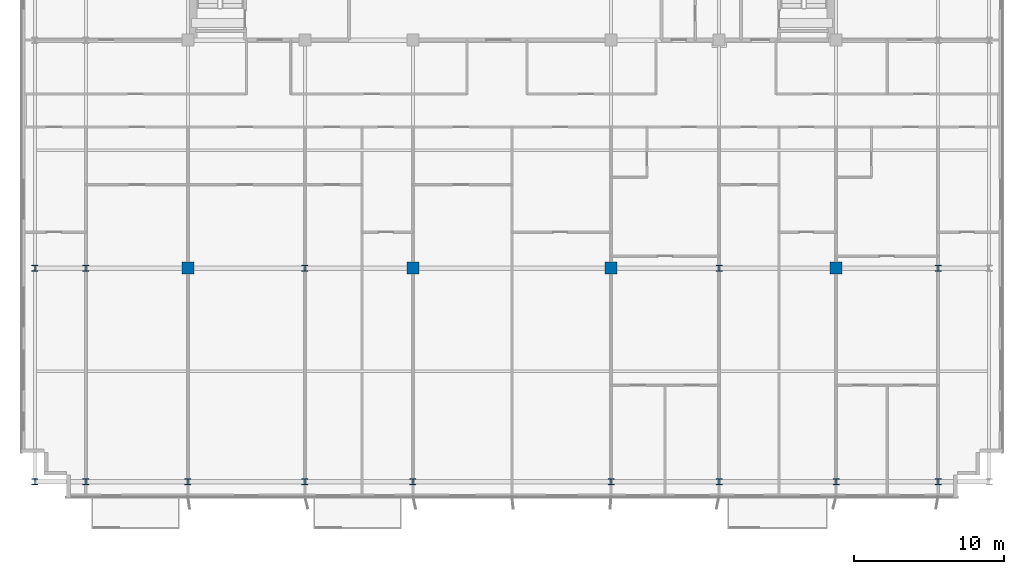
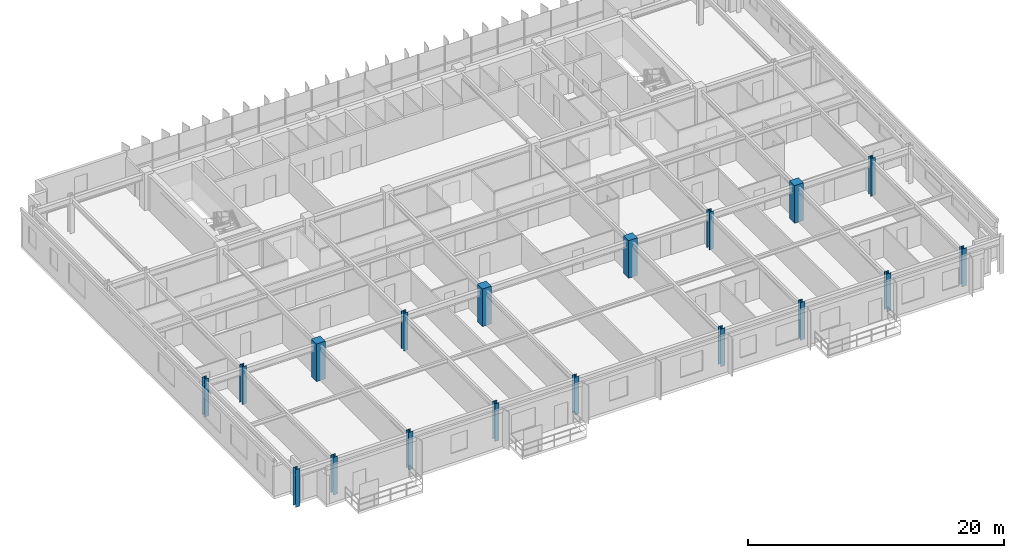
# One storey, part 1 of 21: 18 columns.
"""IFC4 building model written with IfcOpenShell, lengths in metres."""

import ifcopenshell
import ifcopenshell.guid

model = None  # the IFC model being written
_history = None  # IfcOwnerHistory: only IFC2X3 demands one
_inside = {}  # id of a spatial element -> (the spatial element, [elements in it])
_under = {}  # id of a project, library or spatial element -> (it, [spatial elements below it])
_declared = {}  # id of a project -> (the project, [libraries it declares])
_typed = {}  # id of a type object -> (the type object, [elements of that type])
_made_of = {}  # id of a material, layer set ... -> (it, [elements and type objects made of it])


def new_model(schema):
    """Start an empty IFC model of exactly this schema.

    Asked for "IFC4X3", IfcOpenShell would pick the latest addendum, in which some entities
    have other attributes; the version numbers below select the first issue.
    IFC2X3 requires an IfcOwnerHistory on every rooted entity: one is made here for all.
    """
    global model, _history
    if schema == "IFC4X3":
        model = ifcopenshell.file(schema_version=(4, 3, 0, 0))
    else:
        model = ifcopenshell.file(schema=schema)
    _inside.clear()
    _under.clear()
    _declared.clear()
    _typed.clear()
    _made_of.clear()
    _history = None
    if model.schema == "IFC2X3":
        org = make("IfcOrganization", Name="unknown")
        user = make(
            "IfcPersonAndOrganization",
            ThePerson=make("IfcPerson", FamilyName="unknown"),
            TheOrganization=org,
        )
        app = make(
            "IfcApplication",
            ApplicationDeveloper=org,
            Version="unknown",
            ApplicationFullName="unknown",
            ApplicationIdentifier="unknown",
        )
        _history = make(
            "IfcOwnerHistory",
            OwningUser=user,
            OwningApplication=app,
            ChangeAction="ADDED",
            CreationDate=0,
        )
    return model


def make(cls, **values):
    """One entity of the class cls with the attributes given. An attribute that is None is left unset."""
    return model.create_entity(
        cls, **{name: value for name, value in values.items() if value is not None}
    )


def rooted(cls, **values):
    """An entity with a GlobalId (a new one), such as an element, a storey or a relation."""
    return make(cls, GlobalId=ifcopenshell.guid.new(), OwnerHistory=_history, **values)


def si_unit(unit_type, name, prefix=None):
    """IfcSIUnit, for example si_unit("LENGTHUNIT", "METRE", prefix="MILLI")."""
    return make("IfcSIUnit", UnitType=unit_type, Prefix=prefix, Name=name)


def assignment(units):
    """IfcUnitAssignment: the units of a project."""
    return None if units is None else make("IfcUnitAssignment", Units=units)


def point(xyz):
    """IfcCartesianPoint."""
    return None if xyz is None else make("IfcCartesianPoint", Coordinates=xyz)


def direction(xyz):
    """IfcDirection."""
    return None if xyz is None else make("IfcDirection", DirectionRatios=xyz)


def frame(location, z_axis=None, x_axis=None):
    """IfcAxis2Placement3D, a coordinate frame: its origin and axes. An axis left out is left unset."""
    return make(
        "IfcAxis2Placement3D",
        Location=point(location),
        Axis=direction(z_axis),
        RefDirection=direction(x_axis),
    )


def frame_2d(location, x_axis=None):
    """IfcAxis2Placement2D, a coordinate frame in the plane: its origin and x axis."""
    return make(
        "IfcAxis2Placement2D", Location=point(location), RefDirection=direction(x_axis)
    )


def origin():
    """The frame at (0, 0, 0) with its axes left unset."""
    return frame((0.0, 0.0, 0.0))


def origin_2d():
    """The frame at (0, 0) in the plane with its x axis left unset."""
    return frame_2d((0.0, 0.0))


def place(relative_to, where):
    """IfcLocalPlacement: puts the frame where relative to a parent placement (None: the world)."""
    return make(
        "IfcLocalPlacement", PlacementRelTo=relative_to, RelativePlacement=where
    )


def context(
    kind, dimensions, precision=None, world=None, true_north=None, identifier=None
):
    """IfcGeometricRepresentationContext, for example the 3D "Model" context."""
    return make(
        "IfcGeometricRepresentationContext",
        ContextIdentifier=identifier,
        ContextType=kind,
        CoordinateSpaceDimension=dimensions,
        Precision=precision,
        WorldCoordinateSystem=world,
        TrueNorth=true_north,
    )


def subcontext(parent, identifier, kind, view, scale=None):
    """IfcGeometricRepresentationSubContext, for example "Body" below "Model"."""
    return make(
        "IfcGeometricRepresentationSubContext",
        ContextIdentifier=identifier,
        ContextType=kind,
        ParentContext=parent,
        TargetScale=scale,
        TargetView=view,
    )


def project(units=None, contexts=None):
    """IfcProject with its units and contexts."""
    return rooted(
        "IfcProject",
        Name="project",
        RepresentationContexts=contexts,
        UnitsInContext=assignment(units),
    )


def spatial(cls, under=None, at=None, **own):
    """A site, building, storey or space (cls), placed at a placement, below another one or the project."""
    s = rooted(cls, ObjectPlacement=at, **own)
    if under is not None:
        _under.setdefault(under.id(), (under, []))[1].append(s)
    return s


def profile(cls, at=None, kind="AREA", **sizes):
    """A parametric profile (cls). Its sizes go by their IFC names, for example OverallWidth=200.0."""
    return make(cls, ProfileType=kind, Position=at, **sizes)


def rectangle(**sizes):
    """IfcRectangleProfileDef."""
    return profile("IfcRectangleProfileDef", **sizes)


def i_section(**sizes):
    """IfcIShapeProfileDef."""
    return profile("IfcIShapeProfileDef", **sizes)


def extrude(swept, where, along, depth):
    """IfcExtrudedAreaSolid: the profile swept, set in the frame where, extruded along a direction by depth."""
    return make(
        "IfcExtrudedAreaSolid",
        SweptArea=swept,
        Position=where,
        ExtrudedDirection=direction(along),
        Depth=depth,
    )


def shape(context_of_items, identifier, shape_type, items):
    """IfcShapeRepresentation: the items that make up one representation, for example the "Body"."""
    return make(
        "IfcShapeRepresentation",
        ContextOfItems=context_of_items,
        RepresentationIdentifier=identifier,
        RepresentationType=shape_type,
        Items=items,
    )


def source(mapping_origin, context_of_items, identifier, shape_type, items):
    """IfcRepresentationMap: a shape defined once, which mapped items show again and again."""
    return make(
        "IfcRepresentationMap",
        MappingOrigin=mapping_origin,
        MappedRepresentation=shape(context_of_items, identifier, shape_type, items),
    )


def transform(
    local_origin,
    x_axis=None,
    y_axis=None,
    z_axis=None,
    scale=None,
    scale2=None,
    scale3=None,
    uniform=True,
):
    """IfcCartesianTransformationOperator3D, or its non-uniform kind. x_axis, y_axis, z_axis: its Axis1, 2, 3."""
    if uniform:
        return make(
            "IfcCartesianTransformationOperator3D",
            Axis1=direction(x_axis),
            Axis2=direction(y_axis),
            LocalOrigin=point(local_origin),
            Scale=scale,
            Axis3=direction(z_axis),
        )
    return make(
        "IfcCartesianTransformationOperator3DnonUniform",
        Axis1=direction(x_axis),
        Axis2=direction(y_axis),
        LocalOrigin=point(local_origin),
        Scale=scale,
        Axis3=direction(z_axis),
        Scale2=scale2,
        Scale3=scale3,
    )


def mapped(mapping_source, mapping_target):
    """IfcMappedItem: shows the shape of a source again, moved by a transform."""
    return make(
        "IfcMappedItem", MappingSource=mapping_source, MappingTarget=mapping_target
    )


def material(Name=None, Category=None):
    """IfcMaterial."""
    return make("IfcMaterial", Name=Name, Category=Category)


def material_profile(
    of_material, cross_section, Name=None, Category=None, Priority=None
):
    """IfcMaterialProfile: a cross section and its material."""
    return make(
        "IfcMaterialProfile",
        Name=Name,
        Material=of_material,
        Profile=cross_section,
        Priority=Priority,
        Category=Category,
    )


def profile_set(profiles, Name=None, composite=None):
    """IfcMaterialProfileSet."""
    return make(
        "IfcMaterialProfileSet",
        Name=Name,
        MaterialProfiles=profiles,
        CompositeProfile=composite,
    )


def made_of(thing, what):
    """Note that an element or type object is made of a material, layer set ...; save() writes the relation."""
    if what is not None:
        _made_of.setdefault(what.id(), (what, []))[1].append(thing)
    return thing


def type_object(cls, material=None, **own):
    """A type object (cls), such as IfcWallType, which elements share."""
    return made_of(rooted(cls, **own), material)


def element(
    cls,
    number,
    at=None,
    inside=None,
    cuts=None,
    type_object=None,
    material=None,
    context=None,
    identifier="Body",
    shape_type=None,
    held_by="IfcProductDefinitionShape",
    body=None,
    shapes=None,
    **own,
):
    """One element of the class cls, such as IfcWall. Its Tag is "e" and its number.

    at: its placement. inside: the storey or other place that contains it. cuts: it is an
    opening in that element (IfcRelVoidsElement). A single representation is given by context,
    identifier, shape_type and body (its items); several are given by shapes. held_by: the class
    of the entity that holds the representations. save() writes the other relations.
    """
    e = rooted(cls, Tag="e%d" % number, ObjectPlacement=at, **own)
    if body is not None:
        shapes = [shape(context, identifier, shape_type, body)]
    if shapes is not None:
        e.Representation = make(held_by, Representations=shapes)
    if inside is not None:
        _inside.setdefault(inside.id(), (inside, []))[1].append(e)
    if cuts is not None:
        rooted(
            "IfcRelVoidsElement", RelatingBuildingElement=cuts, RelatedOpeningElement=e
        )
    if type_object is not None:
        _typed.setdefault(type_object.id(), (type_object, []))[1].append(e)
    return made_of(e, material)


def aggregate(whole, parts):
    """IfcRelAggregates: a whole, such as a stair, and the parts it consists of."""
    return rooted("IfcRelAggregates", RelatingObject=whole, RelatedObjects=parts)


def save(model, path):
    """Write the relations noted so far, then the file.

    IfcRelAggregates (storeys below a building ...), IfcRelContainedInSpatialStructure (elements
    in a storey), IfcRelDefinesByType, IfcRelAssociatesMaterial and IfcRelDeclares: one each for
    every whole, place, type object, material and project.
    """
    for whole, parts in _under.values():
        aggregate(whole, parts)
    for where, things in _inside.values():
        rooted(
            "IfcRelContainedInSpatialStructure",
            RelatedElements=things,
            RelatingStructure=where,
        )
    for kind, things in _typed.values():
        rooted("IfcRelDefinesByType", RelatedObjects=things, RelatingType=kind)
    for what, things in _made_of.values():
        rooted("IfcRelAssociatesMaterial", RelatedObjects=things, RelatingMaterial=what)
    for by, libraries in _declared.values():
        rooted("IfcRelDeclares", RelatingContext=by, RelatedDefinitions=libraries)
    model.write(path)


model = new_model("IFC4")

# Units and contexts
model_context = context("Model", 3, precision=1e-05, world=origin(), true_north=direction((0.0, 1.0)))
body_context = subcontext(model_context, "Body", "Model", "MODEL_VIEW")
ifc_project = project(units=[si_unit("LENGTHUNIT", "METRE"), si_unit("AREAUNIT", "SQUARE_METRE"), si_unit("VOLUMEUNIT", "CUBIC_METRE"), si_unit("PLANEANGLEUNIT", "RADIAN"), si_unit("MASSUNIT", "GRAM", prefix="KILO")], contexts=[model_context])

# Site, building, storey
site_placement = place(None, origin())
site = spatial("IfcSite", under=ifc_project, at=site_placement, CompositionType="ELEMENT")
building_placement = place(site_placement, origin())
building = spatial("IfcBuilding", under=site, at=building_placement, Name="Trelvane Seafront Commons", CompositionType="ELEMENT")
storey_placement = place(building_placement, frame((0.0, 0.0, 103.300048828125)))
storey = spatial("IfcBuildingStorey", under=building, at=storey_placement, Name="L26", CompositionType="ELEMENT", Elevation=103.300048828125)

# Columns
ifc_material_1 = material(Name="Steel SM355 (S355)", Category="steel")
ifc_material_profile_1 = material_profile(ifc_material_1, i_section(OverallWidth=0.39990234375, OverallDepth=0.39990234375, WebThickness=0.02197265625, FlangeThickness=0.034912109375, at=origin_2d()), Name="HD-400x400x22x35")
ifc_profile_set_1 = profile_set([ifc_material_profile_1], Name="Steel SM355 (S355)")
column_type_1 = type_object("IfcColumnType", Name="STR-COL-HD400", PredefinedType="COLUMN", material=ifc_profile_set_1)
shared_shape_1 = source(origin(), body_context, "Body", "SweptSolid", [
    extrude(i_section(OverallWidth=0.39990234375, OverallDepth=0.39990234375, WebThickness=0.02197265625, FlangeThickness=0.034912109375, at=origin_2d()), origin(), (0.0, 0.0, 1.0), 3.599853515625),
])
for number, where, z_axis, x_axis, name in (
    (1, (5.39990234375, 3.949951171875, 0.0), (0.0, 0.0, 1.0), (1.0, 0.0, 0.0), "L26 Column TC-S5.4"),
    (2, (5.39990234375, 18.199951171875, 0.0), (0.0, 0.0, 1.0), (1.0, 0.0, 0.0), "L26 Column TC-M5.4"),
    (3, (8.800048828125, 3.949951171875, 0.0), (0.0, 0.0, 1.0), (1.0, 0.0, 0.0), "L26 Column TC-S8.8"),
    (4, (8.800048828125, 18.199951171875, 0.0), (0.0, 0.0, 1.0), (1.0, 0.0, 0.0), "L26 Column TC-M8.8"),
    (5, (15.60009765625, 3.949951171875, 0.0), (0.0, 0.0, 1.0), (1.0, 0.0, 0.0), "L26 Column TC-S15.6"),
    (6, (23.39990234375, 3.949951171875, 0.0), (0.0, 0.0, 1.0), (1.0, 0.0, 0.0), "L26 Column TC-S23.4"),
    (7, (23.39990234375, 18.199951171875, 0.0), (0.0, 0.0, 1.0), (1.0, 0.0, 0.0), "L26 Column TC-M23.4"),
    (8, (30.60009765625, 3.949951171875, 0.0), (0.0, 0.0, 1.0), (1.0, 0.0, 0.0), "L26 Column TC-S30.6"),
    (9, (43.800048828125, 3.949951171875, 0.0), (0.0, 0.0, 1.0), (1.0, 0.0, 0.0), "L26 Column TC-S43.8"),
    (10, (51.0, 3.949951171875, 0.0), (0.0, 0.0, 1.0), (1.0, 0.0, 0.0), "L26 Column TC-S51.0"),
    (11, (51.0, 18.199951171875, 0.0), (0.0, 0.0, 1.0), (1.0, 0.0, 0.0), "L26 Column TC-M51.0"),
    (12, (58.800048828125, 3.949951171875, 0.0), (0.0, 0.0, 1.0), (1.0, 0.0, 0.0), "L26 Column TC-S58.8"),
    (13, (65.60009765625, 3.949951171875, 0.0), (0.0, 0.0, 1.0), (1.0, 0.0, 0.0), "L26 Column TC-S65.6"),
    (14, (65.60009765625, 18.199951171875, 0.0), (0.0, 0.0, 1.0), (1.0, 0.0, 0.0), "L26 Column TC-M65.6"),
):
    element("IfcColumn", number, at=place(storey_placement, frame(where, z_axis=z_axis, x_axis=x_axis)), inside=storey, type_object=column_type_1, Name=name, PredefinedType="COLUMN", context=body_context, shape_type="MappedRepresentation", body=[
        mapped(shared_shape_1, transform((0.0, 0.0, 0.0), x_axis=(1.0, 0.0, 0.0), y_axis=(0.0, 1.0, 0.0), z_axis=(0.0, 0.0, 1.0), scale=1.0)),
    ])
ifc_material_2 = material(Name="Concrete C60/75", Category="concrete")
ifc_material_profile_2 = material_profile(ifc_material_2, rectangle(XDim=0.800048828125, YDim=0.800048828125, at=origin_2d()), Name="RC-800x800")
ifc_profile_set_2 = profile_set([ifc_material_profile_2], Name="Concrete C60/75")
column_type_2 = type_object("IfcColumnType", Name="STR-COL-RC800", PredefinedType="COLUMN", material=ifc_profile_set_2)
shared_shape_2 = source(origin(), body_context, "Body", "SweptSolid", [
    extrude(rectangle(XDim=0.800048828125, YDim=0.800048828125, at=origin_2d()), origin(), (0.0, 0.0, 1.0), 3.599853515625),
])
for number, where, z_axis, x_axis, name in (
    (15, (15.60009765625, 18.199951171875, 0.0), (0.0, 0.0, 1.0), (1.0, 0.0, 0.0), "L26 Column TC-M15.6"),
    (16, (30.60009765625, 18.199951171875, 0.0), (0.0, 0.0, 1.0), (1.0, 0.0, 0.0), "L26 Column TC-M30.6"),
    (17, (43.800048828125, 18.199951171875, 0.0), (0.0, 0.0, 1.0), (1.0, 0.0, 0.0), "L26 Column TC-M43.8"),
    (18, (58.800048828125, 18.199951171875, 0.0), (0.0, 0.0, 1.0), (1.0, 0.0, 0.0), "L26 Column TC-M58.8"),
):
    element("IfcColumn", number, at=place(storey_placement, frame(where, z_axis=z_axis, x_axis=x_axis)), inside=storey, type_object=column_type_2, Name=name, PredefinedType="COLUMN", context=body_context, shape_type="MappedRepresentation", body=[
        mapped(shared_shape_2, transform((0.0, 0.0, 0.0), x_axis=(1.0, 0.0, 0.0), y_axis=(0.0, 1.0, 0.0), z_axis=(0.0, 0.0, 1.0), scale=1.0)),
    ])

save(model, "model.ifc")
